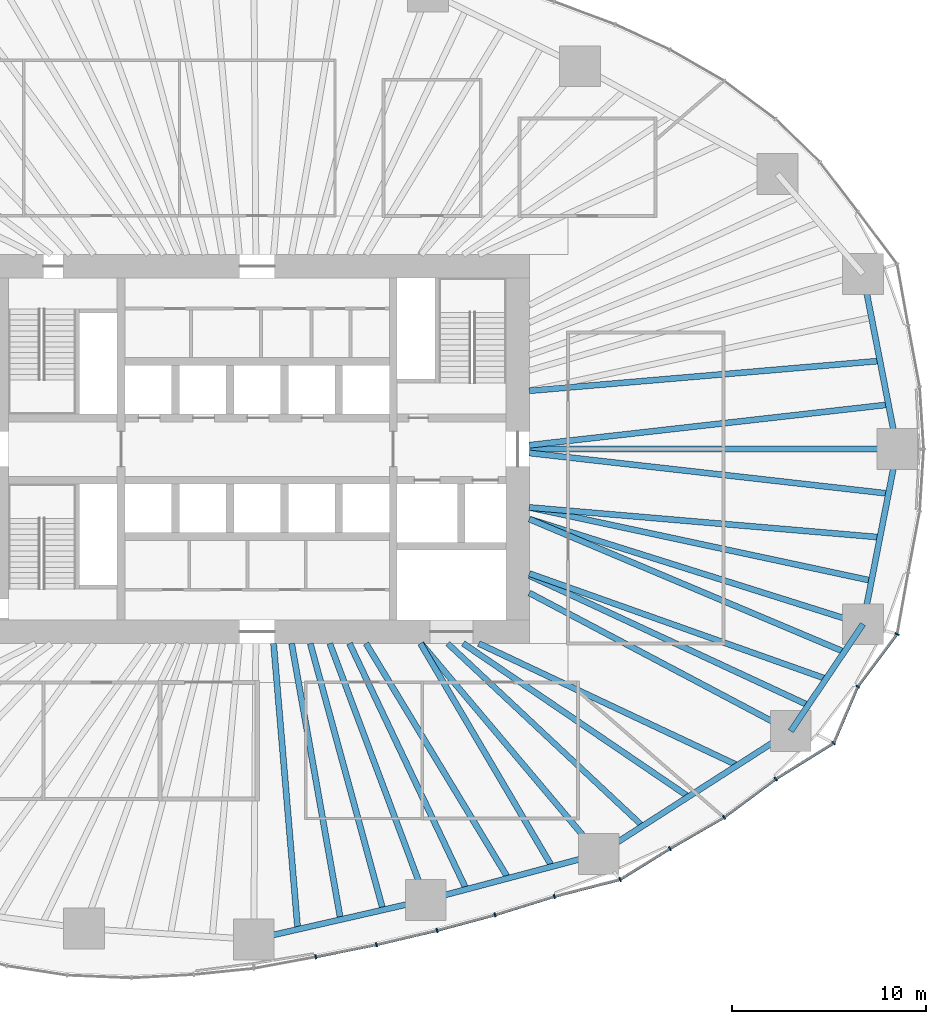
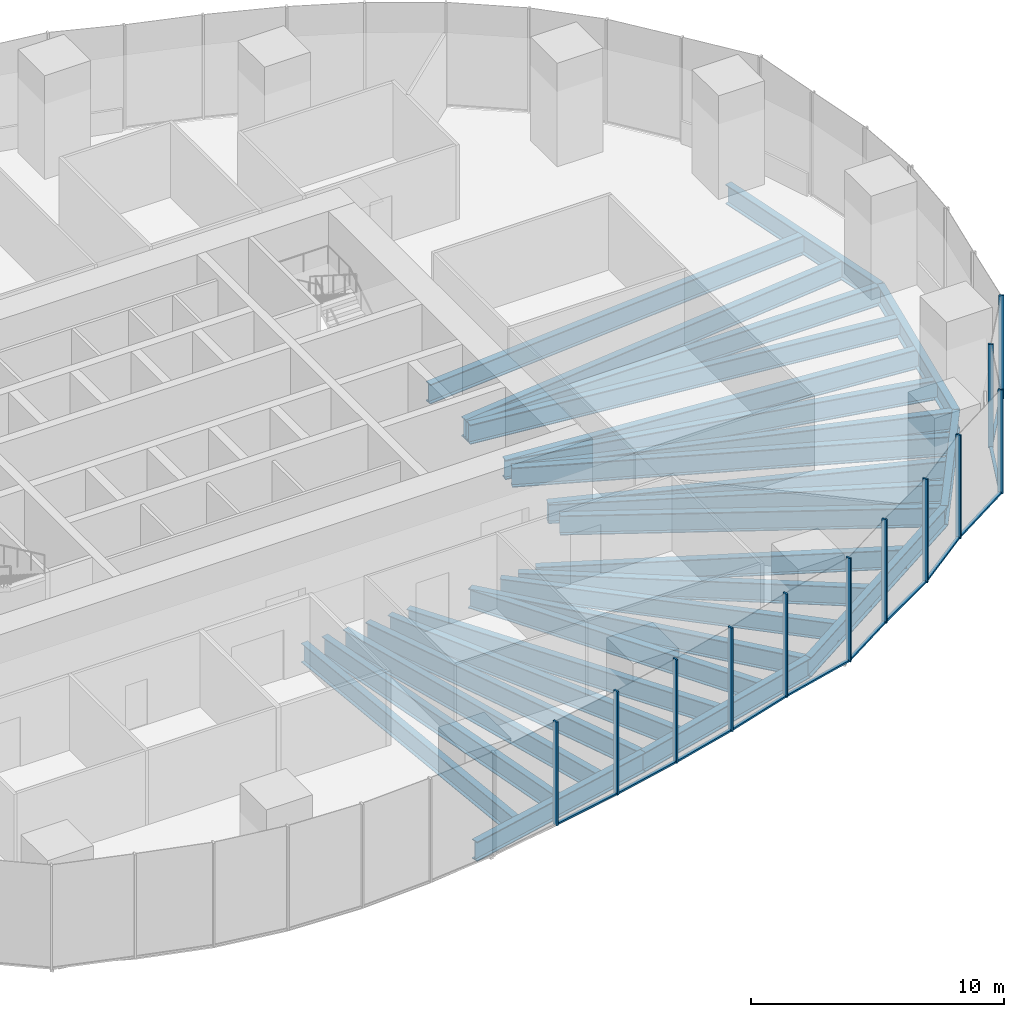
# One storey, part 4 of 20: 28 beams, 23 members, 5 elements without a shape of their own.
"""IFC4 building model written with IfcOpenShell, lengths in metres."""

from ifc_helpers import new_model, si_unit, direction, frame, origin, origin_2d, place, context, subcontext, project, spatial, rectangle, i_section, extrude, material, material_profile, profile_set, type_object, element, aggregate, save


model = new_model("IFC4")

# Units and contexts
model_context = context("Model", 3, precision=1e-05, world=origin(), true_north=direction((0.0, 1.0)))
body_context = subcontext(model_context, "Body", "Model", "MODEL_VIEW")
ifc_project = project(units=[si_unit("LENGTHUNIT", "METRE"), si_unit("AREAUNIT", "SQUARE_METRE"), si_unit("VOLUMEUNIT", "CUBIC_METRE"), si_unit("PLANEANGLEUNIT", "RADIAN"), si_unit("MASSUNIT", "GRAM", prefix="KILO")], contexts=[model_context])

# Site, building, storey
site_placement = place(None, origin())
site = spatial("IfcSite", under=ifc_project, at=site_placement, CompositionType="ELEMENT")
building_placement = place(site_placement, origin())
building = spatial("IfcBuilding", under=site, at=building_placement, Name="Ghaith Harvest Tower", CompositionType="ELEMENT")
storey_placement = place(building_placement, frame((0.0, 0.0, 30.0)))
storey = spatial("IfcBuildingStorey", under=building, at=storey_placement, Name="L06", CompositionType="ELEMENT", Elevation=30.0)

# Curtain wall, members
ifc_material_1 = material(Name="Black anodised aluminium and fritted glass", Category="aluminium")
curtain_wall_type = type_object("IfcCurtainWallType", Name="CW-F CURTAIN WALL", PredefinedType="NOTDEFINED", material=ifc_material_1)
curtain_wall_1_placement = place(storey_placement, origin())
curtain_wall_1 = element("IfcCurtainWall", 1, at=curtain_wall_1_placement, inside=storey, type_object=curtain_wall_type, Name="Curtain wall CW-F bay 16 L06", PredefinedType="NOTDEFINED")
ifc_material_2 = material(Name="Aluminium, black anodised", Category="aluminium")
ifc_material_profile_1 = material_profile(ifc_material_2, rectangle(XDim=0.080078125, YDim=0.219970703125, at=origin_2d()), Name="CW-F MULLION 80x220")
ifc_profile_set_1 = profile_set([ifc_material_profile_1], Name="Aluminium, black anodised")
member_type_1 = type_object("IfcMemberType", Name="CW-F MULLION 80x220", PredefinedType="MULLION", material=ifc_profile_set_1)
member_1_placement = place(storey_placement, frame((3.00927734375, -26.123291015625, 0.0), z_axis=(0.0, 0.0, 1.0), x_axis=(0.981818445714, 0.189822389762, 0.0)))
member_1 = element("IfcMember", 2, at=member_1_placement, type_object=member_type_1, Name="CW-F mullion 2 bay 16 L06", PredefinedType="MULLION", context=body_context, shape_type="SweptSolid", body=[
    extrude(rectangle(XDim=0.080078125, YDim=0.219970703125, at=origin_2d()), origin(), (0.0, 0.0, 1.0), 5.0),
])
member_2_placement = place(storey_placement, frame((6.136962890625, -25.495361328125, 0.0), z_axis=(0.0, 0.0, 1.0), x_axis=(0.977117973572, 0.212698062336, 0.0)))
member_2 = element("IfcMember", 3, at=member_2_placement, type_object=member_type_1, Name="CW-F mullion 3 bay 16 L06", PredefinedType="MULLION", context=body_context, shape_type="SweptSolid", body=[
    extrude(rectangle(XDim=0.080078125, YDim=0.219970703125, at=origin_2d()), origin(), (0.0, 0.0, 1.0), 5.0),
])

curtain_wall_2_placement = place(storey_placement, origin())
curtain_wall_2 = element("IfcCurtainWall", 4, at=curtain_wall_2_placement, inside=storey, type_object=curtain_wall_type, Name="Curtain wall CW-F bay 17 L06", PredefinedType="NOTDEFINED")
member_3_placement = place(storey_placement, frame((9.25732421875, -24.76318359375, 0.0), z_axis=(0.0, 0.0, 1.0), x_axis=(0.969903429248, 0.24348991341, 0.0)))
member_3 = element("IfcMember", 5, at=member_3_placement, type_object=member_type_1, Name="CW-F mullion 1 bay 17 L06", PredefinedType="MULLION", context=body_context, shape_type="SweptSolid", body=[
    extrude(rectangle(XDim=0.080078125, YDim=0.219970703125, at=origin_2d()), origin(), (0.0, 0.0, 1.0), 5.0),
])
member_4_placement = place(storey_placement, frame((12.234375, -23.964599609375, 0.0), z_axis=(0.0, 0.0, 1.0), x_axis=(0.960502189734, 0.278272426799, 0.0)))
member_4 = element("IfcMember", 6, at=member_4_placement, type_object=member_type_1, Name="CW-F mullion 2 bay 17 L06", PredefinedType="MULLION", context=body_context, shape_type="SweptSolid", body=[
    extrude(rectangle(XDim=0.080078125, YDim=0.219970703125, at=origin_2d()), origin(), (0.0, 0.0, 1.0), 5.0),
])
member_5_placement = place(storey_placement, frame((15.28759765625, -23.01611328125, 0.0), z_axis=(0.0, 0.0, 1.0), x_axis=(0.962313144018, 0.27194376781, 0.0)))
member_5 = element("IfcMember", 7, at=member_5_placement, type_object=member_type_1, Name="CW-F mullion 3 bay 17 L06", PredefinedType="MULLION", context=body_context, shape_type="SweptSolid", body=[
    extrude(rectangle(XDim=0.080078125, YDim=0.219970703125, at=origin_2d()), origin(), (0.0, 0.0, 1.0), 5.0),
])

curtain_wall_3_placement = place(storey_placement, origin())
curtain_wall_3 = element("IfcCurtainWall", 8, at=curtain_wall_3_placement, inside=storey, type_object=curtain_wall_type, Name="Curtain wall CW-F bay 18 L06", PredefinedType="NOTDEFINED")
member_6_placement = place(storey_placement, frame((18.674072265625, -22.144775390625, 0.0), z_axis=(0.0, 0.0, 1.0), x_axis=(0.923910199299, 0.382609387799, 0.0)))
member_6 = element("IfcMember", 9, at=member_6_placement, type_object=member_type_1, Name="CW-F mullion 1 bay 18 L06", PredefinedType="MULLION", context=body_context, shape_type="SweptSolid", body=[
    extrude(rectangle(XDim=0.080078125, YDim=0.219970703125, at=origin_2d()), origin(), (0.0, 0.0, 1.0), 5.0),
])
member_7_placement = place(storey_placement, frame((21.2353515625, -20.552978515625, 0.0), z_axis=(0.0, 0.0, 1.0), x_axis=(0.858140414942, 0.513415064293, 0.0)))
member_7 = element("IfcMember", 10, at=member_7_placement, type_object=member_type_1, Name="CW-F mullion 2 bay 18 L06", PredefinedType="MULLION", context=body_context, shape_type="SweptSolid", body=[
    extrude(rectangle(XDim=0.080078125, YDim=0.219970703125, at=origin_2d()), origin(), (0.0, 0.0, 1.0), 5.0),
])
member_8_placement = place(storey_placement, frame((24.018310546875, -18.947265625, 0.0), z_axis=(0.0, 0.0, 1.0), x_axis=(0.835443516838, 0.549576318788, 0.0)))
member_8 = element("IfcMember", 11, at=member_8_placement, type_object=member_type_1, Name="CW-F mullion 3 bay 18 L06", PredefinedType="MULLION", context=body_context, shape_type="SweptSolid", body=[
    extrude(rectangle(XDim=0.080078125, YDim=0.219970703125, at=origin_2d()), origin(), (0.0, 0.0, 1.0), 5.0),
])

curtain_wall_4_placement = place(storey_placement, origin())
curtain_wall_4 = element("IfcCurtainWall", 12, at=curtain_wall_4_placement, inside=storey, type_object=curtain_wall_type, Name="Curtain wall CW-F bay 19 L06", PredefinedType="NOTDEFINED")
member_9_placement = place(storey_placement, frame((26.673828125, -16.9755859375, 0.0), z_axis=(0.0, 0.0, 1.0), x_axis=(0.828002038115, 0.560725088504, 0.0)))
member_9 = element("IfcMember", 13, at=member_9_placement, type_object=member_type_1, Name="CW-F mullion 1 bay 19 L06", PredefinedType="MULLION", context=body_context, shape_type="SweptSolid", body=[
    extrude(rectangle(XDim=0.080078125, YDim=0.219970703125, at=origin_2d()), origin(), (0.0, 0.0, 1.0), 5.0),
])
member_10_placement = place(storey_placement, frame((29.659912109375, -15.126953125, 0.0), z_axis=(0.0, 0.0, 1.0), x_axis=(0.663604797505, 0.748083332743, 0.0)))
member_10 = element("IfcMember", 14, at=member_10_placement, type_object=member_type_1, Name="CW-F mullion 2 bay 19 L06", PredefinedType="MULLION", context=body_context, shape_type="SweptSolid", body=[
    extrude(rectangle(XDim=0.080078125, YDim=0.219970703125, at=origin_2d()), origin(), (0.0, 0.0, 1.0), 5.0),
])
member_11_placement = place(storey_placement, frame((30.896728515625, -12.215087890625, 0.0), z_axis=(0.0, 0.0, 1.0), x_axis=(0.5027946428, 0.864405892606, 0.0)))
member_11 = element("IfcMember", 15, at=member_11_placement, type_object=member_type_1, Name="CW-F mullion 3 bay 19 L06", PredefinedType="MULLION", context=body_context, shape_type="SweptSolid", body=[
    extrude(rectangle(XDim=0.080078125, YDim=0.219970703125, at=origin_2d()), origin(), (0.0, 0.0, 1.0), 5.0),
])

# Curtain wall, member
curtain_wall_5_placement = place(storey_placement, origin())
curtain_wall_5 = element("IfcCurtainWall", 16, at=curtain_wall_5_placement, inside=storey, type_object=curtain_wall_type, Name="Curtain wall CW-F bay 20 L06", PredefinedType="NOTDEFINED")
member_12_placement = place(storey_placement, frame((32.923583984375, -9.515625, 0.0), z_axis=(0.0, 0.0, 1.0), x_axis=(0.404701694001, 0.914448762301, 0.0)))
member_12 = element("IfcMember", 17, at=member_12_placement, type_object=member_type_1, Name="CW-F mullion 1 bay 20 L06", PredefinedType="MULLION", context=body_context, shape_type="SweptSolid", body=[
    extrude(rectangle(XDim=0.080078125, YDim=0.219970703125, at=origin_2d()), origin(), (0.0, 0.0, 1.0), 5.0),
])
aggregate(curtain_wall_5, [member_12])

# Member
ifc_material_3 = material(Name="Aluminium, black anodised", Category="aluminium")
ifc_material_profile_2 = material_profile(ifc_material_3, rectangle(XDim=0.139892578125, YDim=0.080078125, at=origin_2d()), Name="CW-F TRANSOM 140x80")
ifc_profile_set_2 = profile_set([ifc_material_profile_2], Name="Aluminium, black anodised")
member_type_2 = type_object("IfcMemberType", Name="CW-F TRANSOM 140x80", PredefinedType="USERDEFINED", material=ifc_profile_set_2)
member_13_placement = place(storey_placement, frame((3.04833984375, -26.115478515625, 0.0400390625), z_axis=(0.980432471193, 0.196855707129, 0.0), x_axis=(-0.196855707129, 0.980432471193, 0.0)))
member_13 = element("IfcMember", 18, at=member_13_placement, type_object=member_type_2, Name="CW-F transom 2 bay 16 L06", ObjectType="TRANSOM", PredefinedType="USERDEFINED", context=body_context, shape_type="SweptSolid", body=[
    extrude(rectangle(XDim=0.139892578125, YDim=0.080078125, at=origin_2d()), origin(), (0.0, 0.0, 1.0), 3.1103515625),
])

member_14_placement = place(storey_placement, frame((6.176025390625, -25.486083984375, 0.0400390625), z_axis=(0.973560415159, 0.228429678537, 0.0), x_axis=(-0.228429678537, 0.973560415159, 0.0)))
member_14 = element("IfcMember", 19, at=member_14_placement, type_object=member_type_2, Name="CW-F transom 3 bay 16 L06", ObjectType="TRANSOM", PredefinedType="USERDEFINED", context=body_context, shape_type="SweptSolid", body=[
    extrude(rectangle(XDim=0.139892578125, YDim=0.080078125, at=origin_2d()), origin(), (0.0, 0.0, 1.0), 3.125),
])

aggregate(curtain_wall_1, [member_1, member_13, member_2, member_14])

member_15_placement = place(storey_placement, frame((9.2958984375, -24.7529296875, 0.0400390625), z_axis=(0.965832908495, 0.259165570377, 0.0), x_axis=(-0.259165570377, 0.965832908495, 0.0)))
member_15 = element("IfcMember", 20, at=member_15_placement, type_object=member_type_2, Name="CW-F transom 1 bay 17 L06", ObjectType="TRANSOM", PredefinedType="USERDEFINED", context=body_context, shape_type="SweptSolid", body=[
    extrude(rectangle(XDim=0.139892578125, YDim=0.080078125, at=origin_2d()), origin(), (0.0, 0.0, 1.0), 3.002197265625),
])

member_16_placement = place(storey_placement, frame((12.2724609375, -23.95263671875, 0.0400390625), z_axis=(0.954998362353, 0.296611071781, 0.0), x_axis=(-0.296611071781, 0.954998362353, 0.0)))
member_16 = element("IfcMember", 21, at=member_16_placement, type_object=member_type_2, Name="CW-F transom 2 bay 17 L06", ObjectType="TRANSOM", PredefinedType="USERDEFINED", context=body_context, shape_type="SweptSolid", body=[
    extrude(rectangle(XDim=0.139892578125, YDim=0.080078125, at=origin_2d()), origin(), (0.0, 0.0, 1.0), 3.1171875),
])

member_17_placement = place(storey_placement, frame((15.326171875, -23.006103515625, 0.0400390625), z_axis=(0.968463874592, 0.249154015841, 0.0), x_axis=(-0.249154015841, 0.968463874592, 0.0)))
member_17 = element("IfcMember", 22, at=member_17_placement, type_object=member_type_2, Name="CW-F transom 3 bay 17 L06", ObjectType="TRANSOM", PredefinedType="USERDEFINED", context=body_context, shape_type="SweptSolid", body=[
    extrude(rectangle(XDim=0.139892578125, YDim=0.080078125, at=origin_2d()), origin(), (0.0, 0.0, 1.0), 3.416748046875),
])

aggregate(curtain_wall_2, [member_3, member_15, member_4, member_16, member_5, member_17])

member_18_placement = place(storey_placement, frame((18.7080078125, -22.12353515625, 0.0400390625), z_axis=(0.849383069026, 0.527776848726, 0.0), x_axis=(-0.527776848726, 0.849383069026, 0.0)))
member_18 = element("IfcMember", 23, at=member_18_placement, type_object=member_type_2, Name="CW-F transom 1 bay 18 L06", ObjectType="TRANSOM", PredefinedType="USERDEFINED", context=body_context, shape_type="SweptSolid", body=[
    extrude(rectangle(XDim=0.139892578125, YDim=0.080078125, at=origin_2d()), origin(), (0.0, 0.0, 1.0), 2.935546875),
])

member_19_placement = place(storey_placement, frame((21.27001953125, -20.532958984375, 0.0400390625), z_axis=(0.866168719914, 0.499751686983, 0.0), x_axis=(-0.499751686983, 0.866168719914, 0.0)))
member_19 = element("IfcMember", 24, at=member_19_placement, type_object=member_type_2, Name="CW-F transom 2 bay 18 L06", ObjectType="TRANSOM", PredefinedType="USERDEFINED", context=body_context, shape_type="SweptSolid", body=[
    extrude(rectangle(XDim=0.139892578125, YDim=0.080078125, at=origin_2d()), origin(), (0.0, 0.0, 1.0), 3.1328125),
])

member_20_placement = place(storey_placement, frame((24.050537109375, -18.92333984375, 0.0400390625), z_axis=(0.802877287823, 0.596144328748, 0.0), x_axis=(-0.596144328748, 0.802877287823, 0.0)))
member_20 = element("IfcMember", 25, at=member_20_placement, type_object=member_type_2, Name="CW-F transom 3 bay 18 L06", ObjectType="TRANSOM", PredefinedType="USERDEFINED", context=body_context, shape_type="SweptSolid", body=[
    extrude(rectangle(XDim=0.139892578125, YDim=0.080078125, at=origin_2d()), origin(), (0.0, 0.0, 1.0), 3.2275390625),
])

aggregate(curtain_wall_3, [member_6, member_18, member_7, member_19, member_8, member_20])

member_21_placement = place(storey_placement, frame((26.707763671875, -16.954345703125, 0.0400390625), z_axis=(0.850260598386, 0.526361961802, 0.0), x_axis=(-0.526361961802, 0.850260598386, 0.0)))
member_21 = element("IfcMember", 26, at=member_21_placement, type_object=member_type_2, Name="CW-F transom 1 bay 19 L06", ObjectType="TRANSOM", PredefinedType="USERDEFINED", context=body_context, shape_type="SweptSolid", body=[
    extrude(rectangle(XDim=0.139892578125, YDim=0.080078125, at=origin_2d()), origin(), (0.0, 0.0, 1.0), 3.431884765625),
])

member_22_placement = place(storey_placement, frame((29.675537109375, -15.090087890625, 0.0400390625), z_axis=(0.390936107494, 0.92041781809, 0.0), x_axis=(-0.92041781809, 0.390936107494, 0.0)))
member_22 = element("IfcMember", 27, at=member_22_placement, type_object=member_type_2, Name="CW-F transom 2 bay 19 L06", ObjectType="TRANSOM", PredefinedType="USERDEFINED", context=body_context, shape_type="SweptSolid", body=[
    extrude(rectangle(XDim=0.139892578125, YDim=0.080078125, at=origin_2d()), origin(), (0.0, 0.0, 1.0), 3.083740234375),
])

member_23_placement = place(storey_placement, frame((30.920654296875, -12.18310546875, 0.0400390625), z_axis=(0.600462135687, 0.799653189581, 0.0), x_axis=(-0.799653189581, 0.600462135687, 0.0)))
member_23 = element("IfcMember", 28, at=member_23_placement, type_object=member_type_2, Name="CW-F transom 3 bay 19 L06", ObjectType="TRANSOM", PredefinedType="USERDEFINED", context=body_context, shape_type="SweptSolid", body=[
    extrude(rectangle(XDim=0.139892578125, YDim=0.080078125, at=origin_2d()), origin(), (0.0, 0.0, 1.0), 3.2958984375),
])

aggregate(curtain_wall_4, [member_9, member_21, member_10, member_22, member_11, member_23])

# Beams
ifc_material_4 = material(Name="Steel ASTM A992 Grade 50", Category="steel")
ifc_material_profile_3 = material_profile(ifc_material_4, i_section(OverallWidth=0.306884765625, OverallDepth=0.94189453125, WebThickness=0.022216796875, FlangeThickness=0.039794921875, at=origin_2d()), Name="W920X345")
ifc_profile_set_3 = profile_set([ifc_material_profile_3], Name="Steel ASTM A992 Grade 50")
beam_type_1 = type_object("IfcBeamType", Name="E920-345 W920X345", PredefinedType="SPANDREL", material=ifc_profile_set_3)
beam_1_placement = place(storey_placement, frame((32.925048828125, 0.0, -0.6708984375), z_axis=(-0.191653479461, 0.981462655332, 0.0), x_axis=(-0.981462655332, -0.191653479461, 0.0)))
element("IfcBeam", 29, at=beam_1_placement, inside=storey, type_object=beam_type_1, Name="Edge beam E01 L06", PredefinedType="SPANDREL", context=body_context, shape_type="SweptSolid", body=[
    extrude(i_section(OverallWidth=0.306884765625, OverallDepth=0.94189453125, WebThickness=0.022216796875, FlangeThickness=0.039794921875, at=origin_2d()), origin(), (0.0, 0.0, 1.0), 9.17822265625),
])
beam_2_placement = place(storey_placement, frame((-0.173095703125, -25.22412109375, -0.6708984375), z_axis=(0.974881709383, 0.22272326486, 0.0), x_axis=(-0.22272326486, 0.974881709383, 0.0)))
element("IfcBeam", 30, at=beam_2_placement, inside=storey, type_object=beam_type_1, Name="Edge beam E16 L06", PredefinedType="SPANDREL", context=body_context, shape_type="SweptSolid", body=[
    extrude(i_section(OverallWidth=0.306884765625, OverallDepth=0.94189453125, WebThickness=0.022216796875, FlangeThickness=0.039794921875, at=origin_2d()), origin(), (0.0, 0.0, 1.0), 9.0751953125),
])
beam_3_placement = place(storey_placement, frame((8.674072265625, -23.202880859375, -0.6708984375), z_axis=(0.966419097109, 0.256971065963, 0.0), x_axis=(-0.256971065963, 0.966419097109, 0.0)))
element("IfcBeam", 31, at=beam_3_placement, inside=storey, type_object=beam_type_1, Name="Edge beam E17 L06", PredefinedType="SPANDREL", context=body_context, shape_type="SweptSolid", body=[
    extrude(i_section(OverallWidth=0.306884765625, OverallDepth=0.94189453125, WebThickness=0.022216796875, FlangeThickness=0.039794921875, at=origin_2d()), origin(), (0.0, 0.0, 1.0), 9.20703125),
])
beam_4_placement = place(storey_placement, frame((17.572021484375, -20.8369140625, -0.6708984375), z_axis=(0.842014649705, 0.539454659524, 0.0), x_axis=(-0.539454659524, 0.842014649705, 0.0)))
element("IfcBeam", 32, at=beam_4_placement, inside=storey, type_object=beam_type_1, Name="Edge beam E18 L06", PredefinedType="SPANDREL", context=body_context, shape_type="SweptSolid", body=[
    extrude(i_section(OverallWidth=0.306884765625, OverallDepth=0.94189453125, WebThickness=0.022216796875, FlangeThickness=0.039794921875, at=origin_2d()), origin(), (0.0, 0.0, 1.0), 11.730224609375),
])
beam_5_placement = place(storey_placement, frame((27.448974609375, -14.509033203125, -0.6708984375), z_axis=(0.559874470017, 0.828577442261, 0.0), x_axis=(-0.828577442261, 0.559874470017, 0.0)))
element("IfcBeam", 33, at=beam_5_placement, inside=storey, type_object=beam_type_1, Name="Edge beam E19 L06", PredefinedType="SPANDREL", context=body_context, shape_type="SweptSolid", body=[
    extrude(i_section(OverallWidth=0.306884765625, OverallDepth=0.94189453125, WebThickness=0.022216796875, FlangeThickness=0.039794921875, at=origin_2d()), origin(), (0.0, 0.0, 1.0), 6.63916015625),
])
beam_6_placement = place(storey_placement, frame((31.166015625, -9.008056640625, -0.6708984375), z_axis=(0.191653479461, 0.981462655332, 0.0), x_axis=(-0.981462655332, 0.191653479461, 0.0)))
element("IfcBeam", 34, at=beam_6_placement, inside=storey, type_object=beam_type_1, Name="Edge beam E20 L06", PredefinedType="SPANDREL", context=body_context, shape_type="SweptSolid", body=[
    extrude(i_section(OverallWidth=0.306884765625, OverallDepth=0.94189453125, WebThickness=0.022216796875, FlangeThickness=0.039794921875, at=origin_2d()), origin(), (0.0, 0.0, 1.0), 9.17822265625),
])
ifc_material_5 = material(Name="Steel ASTM A992 Grade 50", Category="steel")
ifc_material_profile_4 = material_profile(ifc_material_5, i_section(OverallWidth=0.306884765625, OverallDepth=0.94189453125, WebThickness=0.022216796875, FlangeThickness=0.039794921875, at=origin_2d()), Name="W920X345")
ifc_profile_set_4 = profile_set([ifc_material_profile_4], Name="Steel ASTM A992 Grade 50")
beam_type_2 = type_object("IfcBeamType", Name="G920-345 W920X345", PredefinedType="BEAM", material=ifc_profile_set_4)
beam_7_placement = place(storey_placement, frame((14.0, 0.0, -0.6708984375), z_axis=(1.0, 0.0, 0.0), x_axis=(0.0, 1.0, 0.0)))
element("IfcBeam", 35, at=beam_7_placement, inside=storey, type_object=beam_type_2, Name="Radial girder G01 L06", PredefinedType="BEAM", context=body_context, shape_type="SweptSolid", body=[
    extrude(i_section(OverallWidth=0.306884765625, OverallDepth=0.94189453125, WebThickness=0.022216796875, FlangeThickness=0.039794921875, at=origin_2d()), origin(), (0.0, 0.0, 1.0), 18.925048828125),
])
beam_8_placement = place(storey_placement, frame((3.73828125, -10.0, -0.6708984375), z_axis=(0.350172283717, -0.936685310932, 0.0), x_axis=(0.936685310932, 0.350172283717, 0.0)))
element("IfcBeam", 36, at=beam_8_placement, inside=storey, type_object=beam_type_2, Name="Radial girder G17 L06", PredefinedType="BEAM", context=body_context, shape_type="SweptSolid", body=[
    extrude(i_section(OverallWidth=0.306884765625, OverallDepth=0.94189453125, WebThickness=0.022216796875, FlangeThickness=0.039794921875, at=origin_2d()), origin(), (0.0, 0.0, 1.0), 14.09521484375),
])
beam_9_placement = place(storey_placement, frame((8.4326171875, -10.0, -0.6708984375), z_axis=(0.644696130938, -0.764438943771, 0.0), x_axis=(0.764438943771, 0.644696130938, 0.0)))
element("IfcBeam", 37, at=beam_9_placement, inside=storey, type_object=beam_type_2, Name="Radial girder G18 L06", PredefinedType="BEAM", context=body_context, shape_type="SweptSolid", body=[
    extrude(i_section(OverallWidth=0.306884765625, OverallDepth=0.94189453125, WebThickness=0.022216796875, FlangeThickness=0.039794921875, at=origin_2d()), origin(), (0.0, 0.0, 1.0), 14.17626953125),
])
beam_10_placement = place(storey_placement, frame((14.0, -7.39990234375, -0.6708984375), z_axis=(0.884084425997, -0.467327216959, 0.0), x_axis=(0.467327216959, 0.884084425997, 0.0)))
element("IfcBeam", 38, at=beam_10_placement, inside=storey, type_object=beam_type_2, Name="Radial girder G19 L06", PredefinedType="BEAM", context=body_context, shape_type="SweptSolid", body=[
    extrude(i_section(OverallWidth=0.306884765625, OverallDepth=0.94189453125, WebThickness=0.022216796875, FlangeThickness=0.039794921875, at=origin_2d()), origin(), (0.0, 0.0, 1.0), 15.21240234375),
])
beam_11_placement = place(storey_placement, frame((14.0, -3.60009765625, -0.6708984375), z_axis=(0.953788071692, -0.300480139607, 0.0), x_axis=(0.300480139607, 0.953788071692, 0.0)))
element("IfcBeam", 39, at=beam_11_placement, inside=storey, type_object=beam_type_2, Name="Radial girder G20 L06", PredefinedType="BEAM", context=body_context, shape_type="SweptSolid", body=[
    extrude(i_section(OverallWidth=0.306884765625, OverallDepth=0.94189453125, WebThickness=0.022216796875, FlangeThickness=0.039794921875, at=origin_2d()), origin(), (0.0, 0.0, 1.0), 17.997802734375),
])
ifc_material_6 = material(Name="Steel ASTM A992 Grade 50", Category="steel")
ifc_material_profile_5 = material_profile(ifc_material_6, i_section(OverallWidth=0.2939453125, OverallDepth=0.85107421875, WebThickness=0.01611328125, FlangeThickness=0.02685546875, at=origin_2d()), Name="W840X226")
ifc_profile_set_5 = profile_set([ifc_material_profile_5], Name="Steel ASTM A992 Grade 50")
beam_type_3 = type_object("IfcBeamType", Name="J840-226 W840X226", PredefinedType="JOIST", material=ifc_profile_set_5)
beam_12_placement = place(storey_placement, frame((9.800048828125, -10.0, -0.62548828125), z_axis=(0.72994990542, -0.683500647825, 0.0), x_axis=(0.683500647825, 0.72994990542, 0.0)))
element("IfcBeam", 40, at=beam_12_placement, inside=storey, type_object=beam_type_3, Name="Joist J18.1 L06", PredefinedType="JOIST", context=body_context, shape_type="SweptSolid", body=[
    extrude(i_section(OverallWidth=0.2939453125, OverallDepth=0.85107421875, WebThickness=0.01611328125, FlangeThickness=0.02685546875, at=origin_2d()), origin(), (0.0, 0.0, 1.0), 13.7392578125),
])
ifc_material_7 = material(Name="Steel ASTM A992 Grade 50", Category="steel")
ifc_material_profile_6 = material_profile(ifc_material_7, i_section(OverallWidth=0.31005859375, OverallDepth=0.927001953125, WebThickness=0.019287109375, FlangeThickness=0.031982421875, at=origin_2d()), Name="W920X289")
ifc_profile_set_6 = profile_set([ifc_material_profile_6], Name="Steel ASTM A992 Grade 50")
beam_type_4 = type_object("IfcBeamType", Name="J920-289 W920X289", PredefinedType="JOIST", material=ifc_profile_set_6)
beam_13_placement = place(storey_placement, frame((0.844970703125, -10.0, -0.66357421875), z_axis=(0.084208979751, -0.996448115924, 0.0), x_axis=(0.996448115924, 0.084208979751, 0.0)))
element("IfcBeam", 41, at=beam_13_placement, inside=storey, type_object=beam_type_4, Name="Joist J16.1 L06", PredefinedType="JOIST", context=body_context, shape_type="SweptSolid", body=[
    extrude(i_section(OverallWidth=0.31005859375, OverallDepth=0.927001953125, WebThickness=0.019287109375, FlangeThickness=0.031982421875, at=origin_2d()), origin(), (0.0, 0.0, 1.0), 14.760009765625),
])
beam_14_placement = place(storey_placement, frame((1.772705078125, -10.0, -0.66357421875), z_axis=(0.174552818486, -0.98464781194, 0.0), x_axis=(0.98464781194, 0.174552818486, 0.0)))
element("IfcBeam", 42, at=beam_14_placement, inside=storey, type_object=beam_type_4, Name="Joist J16.2 L06", PredefinedType="JOIST", context=body_context, shape_type="SweptSolid", body=[
    extrude(i_section(OverallWidth=0.31005859375, OverallDepth=0.927001953125, WebThickness=0.019287109375, FlangeThickness=0.031982421875, at=origin_2d()), origin(), (0.0, 0.0, 1.0), 14.42578125),
])
beam_15_placement = place(storey_placement, frame((2.73095703125, -10.0, -0.66357421875), z_axis=(0.263463446032, -0.964669379946, 0.0), x_axis=(0.964669379946, 0.263463446032, 0.0)))
element("IfcBeam", 43, at=beam_15_placement, inside=storey, type_object=beam_type_4, Name="Joist J16.3 L06", PredefinedType="JOIST", context=body_context, shape_type="SweptSolid", body=[
    extrude(i_section(OverallWidth=0.31005859375, OverallDepth=0.927001953125, WebThickness=0.019287109375, FlangeThickness=0.031982421875, at=origin_2d()), origin(), (0.0, 0.0, 1.0), 14.20751953125),
])
beam_16_placement = place(storey_placement, frame((4.75, -10.0, -0.66357421875), z_axis=(0.429067127754, -0.903272605519, 0.0), x_axis=(0.903272605519, 0.429067127754, 0.0)))
element("IfcBeam", 44, at=beam_16_placement, inside=storey, type_object=beam_type_4, Name="Joist J17.1 L06", PredefinedType="JOIST", context=body_context, shape_type="SweptSolid", body=[
    extrude(i_section(OverallWidth=0.31005859375, OverallDepth=0.927001953125, WebThickness=0.019287109375, FlangeThickness=0.031982421875, at=origin_2d()), origin(), (0.0, 0.0, 1.0), 14.003173828125),
])
beam_17_placement = place(storey_placement, frame((5.60009765625, -10.0, -0.66357421875), z_axis=(0.517828660199, -0.855484353262, 0.0), x_axis=(0.855484353262, 0.517828660199, 0.0)))
element("IfcBeam", 45, at=beam_17_placement, inside=storey, type_object=beam_type_4, Name="Joist J17.2 L06", PredefinedType="JOIST", context=body_context, shape_type="SweptSolid", body=[
    extrude(i_section(OverallWidth=0.31005859375, OverallDepth=0.927001953125, WebThickness=0.019287109375, FlangeThickness=0.031982421875, at=origin_2d()), origin(), (0.0, 0.0, 1.0), 14.11669921875),
])
beam_18_placement = place(storey_placement, frame((8.39990234375, -10.0, -0.66357421875), z_axis=(0.507894375661, -0.861419353841, 0.0), x_axis=(0.861419353841, 0.507894375661, 0.0)))
element("IfcBeam", 46, at=beam_18_placement, inside=storey, type_object=beam_type_4, Name="Joist J17.3 L06", PredefinedType="JOIST", context=body_context, shape_type="SweptSolid", body=[
    extrude(i_section(OverallWidth=0.31005859375, OverallDepth=0.927001953125, WebThickness=0.019287109375, FlangeThickness=0.031982421875, at=origin_2d()), origin(), (0.0, 0.0, 1.0), 13.32275390625),
])
beam_19_placement = place(storey_placement, frame((10.60009765625, -10.0, -0.66357421875), z_axis=(0.826982555637, -0.562227580853, 0.0), x_axis=(0.562227580853, 0.826982555637, 0.0)))
element("IfcBeam", 47, at=beam_19_placement, inside=storey, type_object=beam_type_4, Name="Joist J18.2 L06", PredefinedType="JOIST", context=body_context, shape_type="SweptSolid", body=[
    extrude(i_section(OverallWidth=0.31005859375, OverallDepth=0.927001953125, WebThickness=0.019287109375, FlangeThickness=0.031982421875, at=origin_2d()), origin(), (0.0, 0.0, 1.0), 14.013671875),
])
beam_20_placement = place(storey_placement, frame((11.39990234375, -10.0, -0.66357421875), z_axis=(0.904709580205, -0.426028843489, 0.0), x_axis=(0.426028843489, 0.904709580205, 0.0)))
element("IfcBeam", 48, at=beam_20_placement, inside=storey, type_object=beam_type_4, Name="Joist J18.3 L06", PredefinedType="JOIST", context=body_context, shape_type="SweptSolid", body=[
    extrude(i_section(OverallWidth=0.31005859375, OverallDepth=0.927001953125, WebThickness=0.019287109375, FlangeThickness=0.031982421875, at=origin_2d()), origin(), (0.0, 0.0, 1.0), 14.708251953125),
])
beam_21_placement = place(storey_placement, frame((14.0, -6.506103515625, -0.66357421875), z_axis=(0.906865804441, -0.421419521067, 0.0), x_axis=(0.421419521067, 0.906865804441, 0.0)))
element("IfcBeam", 49, at=beam_21_placement, inside=storey, type_object=beam_type_4, Name="Joist J19.1 L06", PredefinedType="JOIST", context=body_context, shape_type="SweptSolid", body=[
    extrude(i_section(OverallWidth=0.31005859375, OverallDepth=0.927001953125, WebThickness=0.019287109375, FlangeThickness=0.031982421875, at=origin_2d()), origin(), (0.0, 0.0, 1.0), 15.824462890625),
])
ifc_material_8 = material(Name="Steel ASTM A992 Grade 50", Category="steel")
ifc_material_profile_7 = material_profile(ifc_material_8, i_section(OverallWidth=0.306884765625, OverallDepth=0.94189453125, WebThickness=0.022216796875, FlangeThickness=0.039794921875, at=origin_2d()), Name="W920X345")
ifc_profile_set_7 = profile_set([ifc_material_profile_7], Name="Steel ASTM A992 Grade 50")
beam_type_5 = type_object("IfcBeamType", Name="J920-345 W920X345", PredefinedType="JOIST", material=ifc_profile_set_7)
beam_22_placement = place(storey_placement, frame((14.0, 0.199951171875, -0.6708984375), z_axis=(0.993675458798, 0.112290171352, 0.0), x_axis=(-0.112290171352, 0.993675458798, 0.0)))
element("IfcBeam", 50, at=beam_22_placement, inside=storey, type_object=beam_type_5, Name="Joist J01.1 L06", PredefinedType="JOIST", context=body_context, shape_type="SweptSolid", body=[
    extrude(i_section(OverallWidth=0.306884765625, OverallDepth=0.94189453125, WebThickness=0.022216796875, FlangeThickness=0.039794921875, at=origin_2d()), origin(), (0.0, 0.0, 1.0), 18.595947265625),
])
beam_23_placement = place(storey_placement, frame((14.0, 3.0, -0.6708984375), z_axis=(0.996389274474, 0.084902377546, 0.0), x_axis=(-0.084902377546, 0.996389274474, 0.0)))
element("IfcBeam", 51, at=beam_23_placement, inside=storey, type_object=beam_type_5, Name="Joist J01.2 L06", PredefinedType="JOIST", context=body_context, shape_type="SweptSolid", body=[
    extrude(i_section(OverallWidth=0.306884765625, OverallDepth=0.94189453125, WebThickness=0.022216796875, FlangeThickness=0.039794921875, at=origin_2d()), origin(), (0.0, 0.0, 1.0), 18.1044921875),
])
beam_24_placement = place(storey_placement, frame((14.0, -6.39990234375, -0.6708984375), z_axis=(0.942399857711, -0.334488427581, 0.0), x_axis=(0.334488427581, 0.942399857711, 0.0)))
element("IfcBeam", 52, at=beam_24_placement, inside=storey, type_object=beam_type_5, Name="Joist J19.2 L06", PredefinedType="JOIST", context=body_context, shape_type="SweptSolid", body=[
    extrude(i_section(OverallWidth=0.306884765625, OverallDepth=0.94189453125, WebThickness=0.022216796875, FlangeThickness=0.039794921875, at=origin_2d()), origin(), (0.0, 0.0, 1.0), 16.199951171875),
])
beam_25_placement = place(storey_placement, frame((14.0, -3.60009765625, -0.6708984375), z_axis=(0.921432978784, -0.388537341333, 0.0), x_axis=(0.388537341333, 0.921432978784, 0.0)))
element("IfcBeam", 53, at=beam_25_placement, inside=storey, type_object=beam_type_5, Name="Joist J19.3 L06", PredefinedType="JOIST", context=body_context, shape_type="SweptSolid", body=[
    extrude(i_section(OverallWidth=0.306884765625, OverallDepth=0.94189453125, WebThickness=0.022216796875, FlangeThickness=0.039794921875, at=origin_2d()), origin(), (0.0, 0.0, 1.0), 17.585205078125),
])
beam_26_placement = place(storey_placement, frame((14.0, -3.0, -0.6708984375), z_axis=(0.977831380626, -0.209393865869, 0.0), x_axis=(0.209393865869, 0.977831380626, 0.0)))
element("IfcBeam", 54, at=beam_26_placement, inside=storey, type_object=beam_type_5, Name="Joist J20.1 L06", PredefinedType="JOIST", context=body_context, shape_type="SweptSolid", body=[
    extrude(i_section(OverallWidth=0.306884765625, OverallDepth=0.94189453125, WebThickness=0.022216796875, FlangeThickness=0.039794921875, at=origin_2d()), origin(), (0.0, 0.0, 1.0), 18.002197265625),
])
beam_27_placement = place(storey_placement, frame((14.0, -3.0, -0.6708984375), z_axis=(0.996389274474, -0.084902377546, 0.0), x_axis=(0.084902377546, 0.996389274474, 0.0)))
element("IfcBeam", 55, at=beam_27_placement, inside=storey, type_object=beam_type_5, Name="Joist J20.2 L06", PredefinedType="JOIST", context=body_context, shape_type="SweptSolid", body=[
    extrude(i_section(OverallWidth=0.306884765625, OverallDepth=0.94189453125, WebThickness=0.022216796875, FlangeThickness=0.039794921875, at=origin_2d()), origin(), (0.0, 0.0, 1.0), 18.1044921875),
])
beam_28_placement = place(storey_placement, frame((14.0, -0.199951171875, -0.6708984375), z_axis=(0.993675458798, -0.112290171352, 0.0), x_axis=(0.112290171352, 0.993675458798, 0.0)))
element("IfcBeam", 56, at=beam_28_placement, inside=storey, type_object=beam_type_5, Name="Joist J20.3 L06", PredefinedType="JOIST", context=body_context, shape_type="SweptSolid", body=[
    extrude(i_section(OverallWidth=0.306884765625, OverallDepth=0.94189453125, WebThickness=0.022216796875, FlangeThickness=0.039794921875, at=origin_2d()), origin(), (0.0, 0.0, 1.0), 18.595947265625),
])

save(model, "model.ifc")
